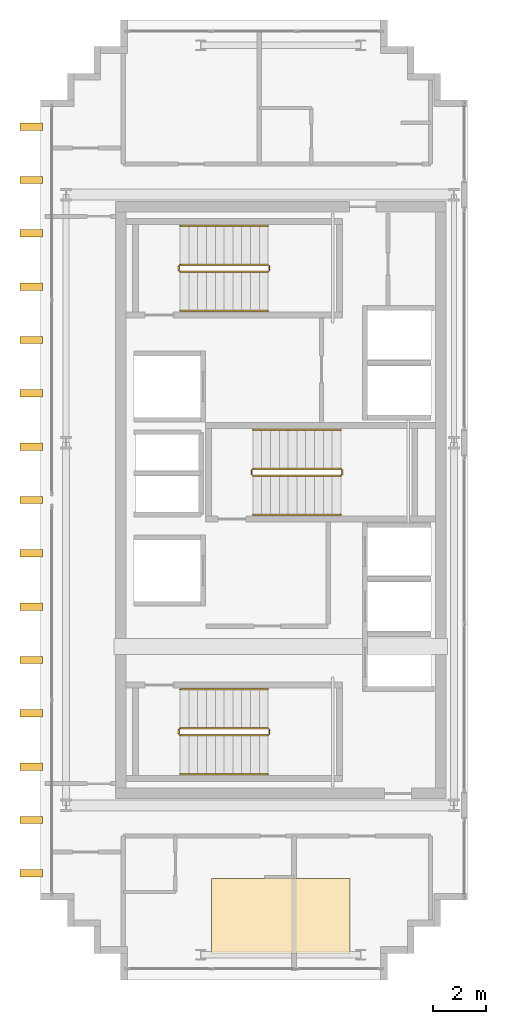
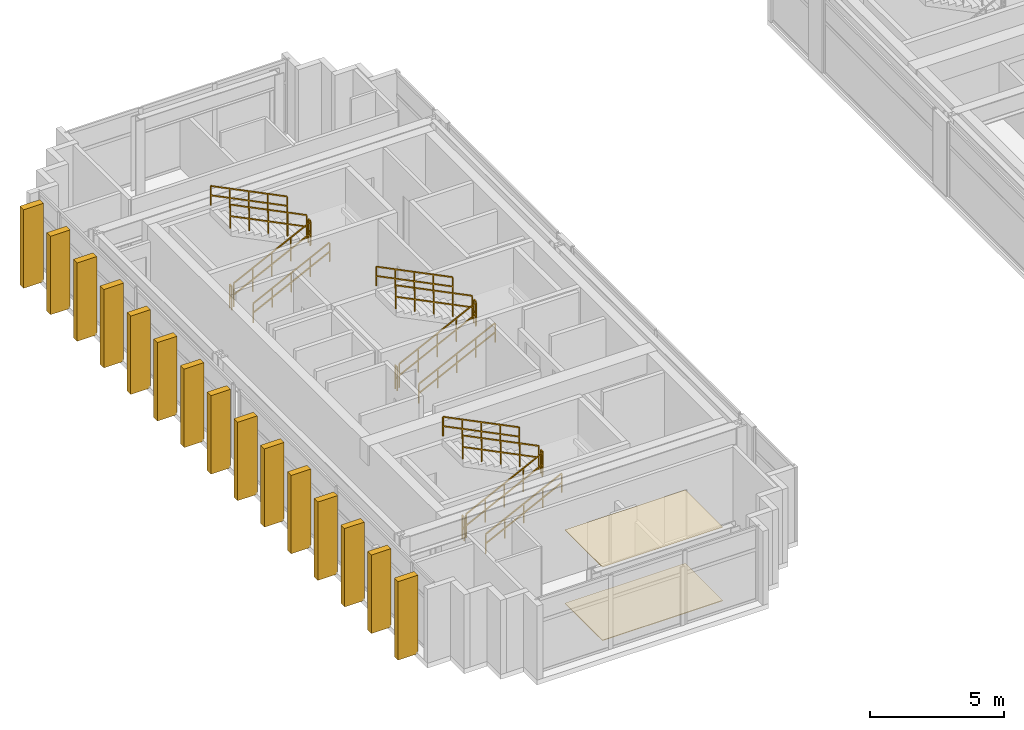
# One storey, part 24 of 25: 18 railings, 15 shading devices, 2 coverings.
"""IFC4 building model written with IfcOpenShell, lengths in metres."""

from ifc_helpers import new_model, si_unit, direction, frame, origin, origin_2d, place, context, subcontext, project, spatial, polyline, rectangle, outline, extrude, source, transform, mapped, material, layer, layer_set, type_object, element, save


model = new_model("IFC4")

# Units and contexts
model_context = context("Model", 3, precision=1e-05, world=origin(), true_north=direction((0.0, 1.0)))
body_context = subcontext(model_context, "Body", "Model", "MODEL_VIEW")
ifc_project = project(units=[si_unit("LENGTHUNIT", "METRE"), si_unit("AREAUNIT", "SQUARE_METRE"), si_unit("VOLUMEUNIT", "CUBIC_METRE"), si_unit("PLANEANGLEUNIT", "RADIAN"), si_unit("MASSUNIT", "GRAM", prefix="KILO")], contexts=[model_context])

# Site, building, storey
site_placement = place(None, origin())
site = spatial("IfcSite", under=ifc_project, at=site_placement, CompositionType="ELEMENT")
building_placement = place(site_placement, origin())
building = spatial("IfcBuilding", under=site, at=building_placement, Name="Ocotamira Hotel", CompositionType="ELEMENT")
storey_placement = place(building_placement, frame((0.0, 0.0, 258.0)))
storey = spatial("IfcBuildingStorey", under=building, at=storey_placement, Name="L65", CompositionType="ELEMENT", Elevation=258.0)

# Coverings
ifc_material_1 = material(Name="Perforated acoustic gypsum ceiling board", Category="gypsum")
ifc_layer_1 = layer(ifc_material_1, 0.02490234375)
ifc_layer_set_1 = layer_set([ifc_layer_1], Name="Perforated acoustic gypsum ceiling board")
covering_type_1 = type_object("IfcCoveringType", Name="COV-CEIL-25", PredefinedType="CEILING", material=ifc_layer_set_1)
covering_1_placement = place(storey_placement, frame((0.0, 0.0, 3.35498046875)))
element("IfcCovering", 1, at=covering_1_placement, inside=storey, type_object=covering_type_1, Name="L65 Acoustic Ceiling", PredefinedType="CEILING", context=body_context, shape_type="SweptSolid", body=[
    extrude(outline(polyline([(14.39990234375, 9.0), (19.60009765625, 9.0), (19.60009765625, 11.800048828125), (14.39990234375, 11.800048828125), (14.39990234375, 9.0)])), origin(), (0.0, 0.0, 1.0), 0.02490234375),
])
ifc_material_2 = material(Name="Honed desert travertine stone flooring", Category="masonry")
ifc_layer_2 = layer(ifc_material_2, 0.030029296875)
ifc_layer_set_2 = layer_set([ifc_layer_2], Name="Honed desert travertine stone flooring")
covering_type_2 = type_object("IfcCoveringType", Name="COV-FLOR-30", PredefinedType="FLOORING", material=ifc_layer_set_2)
covering_2_placement = place(storey_placement, origin())
element("IfcCovering", 2, at=covering_2_placement, inside=storey, type_object=covering_type_2, Name="L65 Honed Stone Floor Finish", PredefinedType="FLOORING", context=body_context, shape_type="SweptSolid", body=[
    extrude(outline(polyline([(14.39990234375, 9.0), (19.60009765625, 9.0), (19.60009765625, 11.800048828125), (14.39990234375, 11.800048828125), (14.39990234375, 9.0)])), origin(), (0.0, 0.0, 1.0), 0.030029296875),
])

# Railings
ifc_material_3 = material(Name="Brushed stainless steel handrail", Category="steel")
railing_type_1 = type_object("IfcRailingType", Name="RL-HAND-900", PredefinedType="HANDRAIL", material=ifc_material_3)
railing_1_placement = place(storey_placement, frame((13.22998046875, 15.719970703125, 0.327392578125)))
element("IfcRailing", 3, at=railing_1_placement, inside=storey, type_object=railing_type_1, Name="L65 ST-1 stair handrail 1", PredefinedType="HANDRAIL", context=body_context, shape_type="SweptSolid", body=[
    extrude(rectangle(XDim=0.048095703125, YDim=0.048095703125, at=origin_2d()), frame((0.0, 0.0, 0.8759765625), z_axis=(0.895920123917, 0.0, 0.444215186098), x_axis=(0.0, 1.0, 0.0)), (0.0, 0.0, 1.0), 3.683349609375),
    extrude(rectangle(XDim=0.048095703125, YDim=0.048095703125, at=origin_2d()), frame((0.0, 0.0, 0.449951171875), z_axis=(0.895920123917, 0.0, 0.444215186098), x_axis=(0.0, 1.0, 0.0)), (0.0, 0.0, 1.0), 3.683349609375),
    extrude(rectangle(XDim=0.0419921875, YDim=0.0419921875, at=origin_2d()), origin(), (0.0, 0.0, 1.0), 0.851806640625),
    extrude(rectangle(XDim=0.0419921875, YDim=0.0419921875, at=origin_2d()), frame((0.824951171875, 0.0, 0.4091796875)), (0.0, 0.0, 1.0), 0.851806640625),
    extrude(rectangle(XDim=0.0419921875, YDim=0.0419921875, at=origin_2d()), frame((1.64990234375, 0.0, 0.818115234375)), (0.0, 0.0, 1.0), 0.851806640625),
    extrude(rectangle(XDim=0.0419921875, YDim=0.0419921875, at=origin_2d()), frame((2.47509765625, 0.0, 1.22705078125)), (0.0, 0.0, 1.0), 0.851806640625),
    extrude(rectangle(XDim=0.0419921875, YDim=0.0419921875, at=origin_2d()), frame((3.300048828125, 0.0, 1.63623046875)), (0.0, 0.0, 1.0), 0.851806640625),
])
railing_2_placement = place(storey_placement, frame((16.530029296875, 18.89990234375, 2.127197265625)))
element("IfcRailing", 4, at=railing_2_placement, inside=storey, type_object=railing_type_1, Name="L65 ST-1 stair handrail 2", PredefinedType="HANDRAIL", context=body_context, shape_type="SweptSolid", body=[
    extrude(rectangle(XDim=0.048095703125, YDim=0.048095703125, at=origin_2d()), frame((0.0, 0.0, 0.8759765625), z_axis=(-0.895893744519, 0.0, 0.4442683857), x_axis=(0.0, -1.0, 0.0)), (0.0, 0.0, 1.0), 3.68359375),
    extrude(rectangle(XDim=0.048095703125, YDim=0.048095703125, at=origin_2d()), frame((0.0, 0.0, 0.449951171875), z_axis=(-0.895893744519, 0.0, 0.4442683857), x_axis=(0.0, -1.0, 0.0)), (0.0, 0.0, 1.0), 3.68359375),
    extrude(rectangle(XDim=0.0419921875, YDim=0.0419921875, at=origin_2d()), origin(), (0.0, 0.0, 1.0), 0.851806640625),
    extrude(rectangle(XDim=0.0419921875, YDim=0.0419921875, at=origin_2d()), frame((-0.824951171875, 0.0, 0.4091796875)), (0.0, 0.0, 1.0), 0.851806640625),
    extrude(rectangle(XDim=0.0419921875, YDim=0.0419921875, at=origin_2d()), frame((-1.64990234375, 0.0, 0.818359375)), (0.0, 0.0, 1.0), 0.851806640625),
    extrude(rectangle(XDim=0.0419921875, YDim=0.0419921875, at=origin_2d()), frame((-2.47509765625, 0.0, 1.227294921875)), (0.0, 0.0, 1.0), 0.851806640625),
    extrude(rectangle(XDim=0.0419921875, YDim=0.0419921875, at=origin_2d()), frame((-3.300048828125, 0.0, 1.636474609375)), (0.0, 0.0, 1.0), 0.851806640625),
])
railing_3_placement = place(storey_placement, frame((13.22998046875, 33.10009765625, 0.327392578125)))
element("IfcRailing", 5, at=railing_3_placement, inside=storey, type_object=railing_type_1, Name="L65 ST-2 stair handrail 1", PredefinedType="HANDRAIL", context=body_context, shape_type="SweptSolid", body=[
    extrude(rectangle(XDim=0.048095703125, YDim=0.048095703125, at=origin_2d()), frame((0.0, 0.0, 0.8759765625), z_axis=(0.895920123917, 0.0, 0.444215186098), x_axis=(0.0, 1.0, 0.0)), (0.0, 0.0, 1.0), 3.683349609375),
    extrude(rectangle(XDim=0.048095703125, YDim=0.048095703125, at=origin_2d()), frame((0.0, 0.0, 0.449951171875), z_axis=(0.895920123917, 0.0, 0.444215186098), x_axis=(0.0, 1.0, 0.0)), (0.0, 0.0, 1.0), 3.683349609375),
    extrude(rectangle(XDim=0.0419921875, YDim=0.0419921875, at=origin_2d()), origin(), (0.0, 0.0, 1.0), 0.851806640625),
    extrude(rectangle(XDim=0.0419921875, YDim=0.0419921875, at=origin_2d()), frame((0.824951171875, 0.0, 0.4091796875)), (0.0, 0.0, 1.0), 0.851806640625),
    extrude(rectangle(XDim=0.0419921875, YDim=0.0419921875, at=origin_2d()), frame((1.64990234375, 0.0, 0.818115234375)), (0.0, 0.0, 1.0), 0.851806640625),
    extrude(rectangle(XDim=0.0419921875, YDim=0.0419921875, at=origin_2d()), frame((2.47509765625, 0.0, 1.22705078125)), (0.0, 0.0, 1.0), 0.851806640625),
    extrude(rectangle(XDim=0.0419921875, YDim=0.0419921875, at=origin_2d()), frame((3.300048828125, 0.0, 1.63623046875)), (0.0, 0.0, 1.0), 0.851806640625),
])
railing_4_placement = place(storey_placement, frame((16.530029296875, 36.280029296875, 2.127197265625)))
element("IfcRailing", 6, at=railing_4_placement, inside=storey, type_object=railing_type_1, Name="L65 ST-2 stair handrail 2", PredefinedType="HANDRAIL", context=body_context, shape_type="SweptSolid", body=[
    extrude(rectangle(XDim=0.048095703125, YDim=0.048095703125, at=origin_2d()), frame((0.0, 0.0, 0.8759765625), z_axis=(-0.895893744519, 0.0, 0.4442683857), x_axis=(0.0, -1.0, 0.0)), (0.0, 0.0, 1.0), 3.68359375),
    extrude(rectangle(XDim=0.048095703125, YDim=0.048095703125, at=origin_2d()), frame((0.0, 0.0, 0.449951171875), z_axis=(-0.895893744519, 0.0, 0.4442683857), x_axis=(0.0, -1.0, 0.0)), (0.0, 0.0, 1.0), 3.68359375),
    extrude(rectangle(XDim=0.0419921875, YDim=0.0419921875, at=origin_2d()), origin(), (0.0, 0.0, 1.0), 0.851806640625),
    extrude(rectangle(XDim=0.0419921875, YDim=0.0419921875, at=origin_2d()), frame((-0.824951171875, 0.0, 0.4091796875)), (0.0, 0.0, 1.0), 0.851806640625),
    extrude(rectangle(XDim=0.0419921875, YDim=0.0419921875, at=origin_2d()), frame((-1.64990234375, 0.0, 0.818359375)), (0.0, 0.0, 1.0), 0.851806640625),
    extrude(rectangle(XDim=0.0419921875, YDim=0.0419921875, at=origin_2d()), frame((-2.47509765625, 0.0, 1.227294921875)), (0.0, 0.0, 1.0), 0.851806640625),
    extrude(rectangle(XDim=0.0419921875, YDim=0.0419921875, at=origin_2d()), frame((-3.300048828125, 0.0, 1.636474609375)), (0.0, 0.0, 1.0), 0.851806640625),
])
railing_5_placement = place(storey_placement, frame((15.9599609375, 25.449951171875, 0.327392578125)))
element("IfcRailing", 7, at=railing_5_placement, inside=storey, type_object=railing_type_1, Name="L65 ST-3 stair handrail 1", PredefinedType="HANDRAIL", context=body_context, shape_type="SweptSolid", body=[
    extrude(rectangle(XDim=0.048095703125, YDim=0.048095703125, at=origin_2d()), frame((0.0, 0.0, 0.8759765625), z_axis=(0.895920123917, 0.0, 0.444215186098), x_axis=(0.0, 1.0, 0.0)), (0.0, 0.0, 1.0), 3.683349609375),
    extrude(rectangle(XDim=0.048095703125, YDim=0.048095703125, at=origin_2d()), frame((0.0, 0.0, 0.449951171875), z_axis=(0.895920123917, 0.0, 0.444215186098), x_axis=(0.0, 1.0, 0.0)), (0.0, 0.0, 1.0), 3.683349609375),
    extrude(rectangle(XDim=0.0419921875, YDim=0.0419921875, at=origin_2d()), origin(), (0.0, 0.0, 1.0), 0.851806640625),
    extrude(rectangle(XDim=0.0419921875, YDim=0.0419921875, at=origin_2d()), frame((0.824951171875, 0.0, 0.4091796875)), (0.0, 0.0, 1.0), 0.851806640625),
    extrude(rectangle(XDim=0.0419921875, YDim=0.0419921875, at=origin_2d()), frame((1.64990234375, 0.0, 0.818115234375)), (0.0, 0.0, 1.0), 0.851806640625),
    extrude(rectangle(XDim=0.0419921875, YDim=0.0419921875, at=origin_2d()), frame((2.47509765625, 0.0, 1.22705078125)), (0.0, 0.0, 1.0), 0.851806640625),
    extrude(rectangle(XDim=0.0419921875, YDim=0.0419921875, at=origin_2d()), frame((3.300048828125, 0.0, 1.63623046875)), (0.0, 0.0, 1.0), 0.851806640625),
])
railing_6_placement = place(storey_placement, frame((19.260009765625, 28.6298828125, 2.127197265625)))
element("IfcRailing", 8, at=railing_6_placement, inside=storey, type_object=railing_type_1, Name="L65 ST-3 stair handrail 2", PredefinedType="HANDRAIL", context=body_context, shape_type="SweptSolid", body=[
    extrude(rectangle(XDim=0.048095703125, YDim=0.048095703125, at=origin_2d()), frame((0.0, 0.0, 0.8759765625), z_axis=(-0.895893744519, 0.0, 0.4442683857), x_axis=(0.0, -1.0, 0.0)), (0.0, 0.0, 1.0), 3.68359375),
    extrude(rectangle(XDim=0.048095703125, YDim=0.048095703125, at=origin_2d()), frame((0.0, 0.0, 0.449951171875), z_axis=(-0.895893744519, 0.0, 0.4442683857), x_axis=(0.0, -1.0, 0.0)), (0.0, 0.0, 1.0), 3.68359375),
    extrude(rectangle(XDim=0.0419921875, YDim=0.0419921875, at=origin_2d()), origin(), (0.0, 0.0, 1.0), 0.851806640625),
    extrude(rectangle(XDim=0.0419921875, YDim=0.0419921875, at=origin_2d()), frame((-0.824951171875, 0.0, 0.4091796875)), (0.0, 0.0, 1.0), 0.851806640625),
    extrude(rectangle(XDim=0.0419921875, YDim=0.0419921875, at=origin_2d()), frame((-1.64990234375, 0.0, 0.818359375)), (0.0, 0.0, 1.0), 0.851806640625),
    extrude(rectangle(XDim=0.0419921875, YDim=0.0419921875, at=origin_2d()), frame((-2.47509765625, 0.0, 1.227294921875)), (0.0, 0.0, 1.0), 0.851806640625),
    extrude(rectangle(XDim=0.0419921875, YDim=0.0419921875, at=origin_2d()), frame((-3.300048828125, 0.0, 1.636474609375)), (0.0, 0.0, 1.0), 0.851806640625),
])
ifc_material_4 = material(Name="Painted steel stair guardrail", Category="steel")
railing_type_2 = type_object("IfcRailingType", Name="RL-STAIR-1100", PredefinedType="GUARDRAIL", material=ifc_material_4)
railing_7_placement = place(storey_placement, frame((13.22998046875, 17.179931640625, 0.16357421875)))
element("IfcRailing", 9, at=railing_7_placement, inside=storey, type_object=railing_type_2, Name="L65 ST-1 stair guard 1", PredefinedType="GUARDRAIL", context=body_context, shape_type="SweptSolid", body=[
    extrude(rectangle(XDim=0.048095703125, YDim=0.048095703125, at=origin_2d()), frame((0.0, 0.0, 1.076171875), z_axis=(0.895893744519, 0.0, 0.4442683857), x_axis=(0.0, 1.0, 0.0)), (0.0, 0.0, 1.0), 3.68359375),
    extrude(rectangle(XDim=0.048095703125, YDim=0.048095703125, at=origin_2d()), frame((0.0, 0.0, 0.550048828125), z_axis=(0.895893744519, 0.0, 0.4442683857), x_axis=(0.0, 1.0, 0.0)), (0.0, 0.0, 1.0), 3.68359375),
    extrude(rectangle(XDim=0.0419921875, YDim=0.0419921875, at=origin_2d()), origin(), (0.0, 0.0, 1.0), 1.052001953125),
    extrude(rectangle(XDim=0.0419921875, YDim=0.0419921875, at=origin_2d()), frame((0.824951171875, 0.0, 0.4091796875)), (0.0, 0.0, 1.0), 1.052001953125),
    extrude(rectangle(XDim=0.0419921875, YDim=0.0419921875, at=origin_2d()), frame((1.64990234375, 0.0, 0.818359375)), (0.0, 0.0, 1.0), 1.052001953125),
    extrude(rectangle(XDim=0.0419921875, YDim=0.0419921875, at=origin_2d()), frame((2.47509765625, 0.0, 1.227294921875)), (0.0, 0.0, 1.0), 1.052001953125),
    extrude(rectangle(XDim=0.0419921875, YDim=0.0419921875, at=origin_2d()), frame((3.300048828125, 0.0, 1.636474609375)), (0.0, 0.0, 1.0), 1.052001953125),
])
railing_8_placement = place(storey_placement, frame((16.580078125, 17.22998046875, 1.800048828125)))
element("IfcRailing", 10, at=railing_8_placement, inside=storey, type_object=railing_type_2, Name="L65 ST-1 stair guard 2", PredefinedType="GUARDRAIL", context=body_context, shape_type="SweptSolid", body=[
    extrude(rectangle(XDim=0.048095703125, YDim=0.048095703125, at=origin_2d()), frame((0.0, 0.0, 1.076171875), z_axis=(0.0, 1.0, 0.0), x_axis=(-1.0, 0.0, 0.0)), (0.0, 0.0, 1.0), 0.159912109375),
    extrude(rectangle(XDim=0.048095703125, YDim=0.048095703125, at=origin_2d()), frame((0.0, 0.0, 0.550048828125), z_axis=(0.0, 1.0, 0.0), x_axis=(-1.0, 0.0, 0.0)), (0.0, 0.0, 1.0), 0.159912109375),
    extrude(rectangle(XDim=0.0419921875, YDim=0.0419921875, at=origin_2d()), origin(), (0.0, 0.0, 1.0), 1.052001953125),
    extrude(rectangle(XDim=0.0419921875, YDim=0.0419921875, at=origin_2d()), frame((0.0, 0.159912109375, 0.0)), (0.0, 0.0, 1.0), 1.052001953125),
])
railing_9_placement = place(storey_placement, frame((16.530029296875, 17.43994140625, 1.963623046875)))
element("IfcRailing", 11, at=railing_9_placement, inside=storey, type_object=railing_type_2, Name="L65 ST-1 stair guard 3", PredefinedType="GUARDRAIL", context=body_context, shape_type="SweptSolid", body=[
    extrude(rectangle(XDim=0.048095703125, YDim=0.048095703125, at=origin_2d()), frame((0.0, 0.0, 1.076171875), z_axis=(-0.895893744519, 0.0, 0.4442683857), x_axis=(0.0, -1.0, 0.0)), (0.0, 0.0, 1.0), 3.68359375),
    extrude(rectangle(XDim=0.048095703125, YDim=0.048095703125, at=origin_2d()), frame((0.0, 0.0, 0.550048828125), z_axis=(-0.895893744519, 0.0, 0.4442683857), x_axis=(0.0, -1.0, 0.0)), (0.0, 0.0, 1.0), 3.68359375),
    extrude(rectangle(XDim=0.0419921875, YDim=0.0419921875, at=origin_2d()), origin(), (0.0, 0.0, 1.0), 1.052001953125),
    extrude(rectangle(XDim=0.0419921875, YDim=0.0419921875, at=origin_2d()), frame((-0.824951171875, 0.0, 0.4091796875)), (0.0, 0.0, 1.0), 1.052001953125),
    extrude(rectangle(XDim=0.0419921875, YDim=0.0419921875, at=origin_2d()), frame((-1.64990234375, 0.0, 0.818359375)), (0.0, 0.0, 1.0), 1.052001953125),
    extrude(rectangle(XDim=0.0419921875, YDim=0.0419921875, at=origin_2d()), frame((-2.47509765625, 0.0, 1.227294921875)), (0.0, 0.0, 1.0), 1.052001953125),
    extrude(rectangle(XDim=0.0419921875, YDim=0.0419921875, at=origin_2d()), frame((-3.300048828125, 0.0, 1.636474609375)), (0.0, 0.0, 1.0), 1.052001953125),
])
railing_10_placement = place(storey_placement, frame((13.179931640625, 17.22998046875, 0.0)))
element("IfcRailing", 12, at=railing_10_placement, inside=storey, type_object=railing_type_2, Name="L65 ST-1 stair guard 4", PredefinedType="GUARDRAIL", context=body_context, shape_type="SweptSolid", body=[
    extrude(rectangle(XDim=0.048095703125, YDim=0.048095703125, at=origin_2d()), frame((0.0, 0.0, 1.076171875), z_axis=(0.0, 1.0, 0.0), x_axis=(-1.0, 0.0, 0.0)), (0.0, 0.0, 1.0), 0.159912109375),
    extrude(rectangle(XDim=0.048095703125, YDim=0.048095703125, at=origin_2d()), frame((0.0, 0.0, 0.550048828125), z_axis=(0.0, 1.0, 0.0), x_axis=(-1.0, 0.0, 0.0)), (0.0, 0.0, 1.0), 0.159912109375),
    extrude(rectangle(XDim=0.0419921875, YDim=0.0419921875, at=origin_2d()), origin(), (0.0, 0.0, 1.0), 1.052001953125),
    extrude(rectangle(XDim=0.0419921875, YDim=0.0419921875, at=origin_2d()), frame((0.0, 0.159912109375, 0.0)), (0.0, 0.0, 1.0), 1.052001953125),
])
railing_11_placement = place(storey_placement, frame((13.22998046875, 34.56005859375, 0.16357421875)))
element("IfcRailing", 13, at=railing_11_placement, inside=storey, type_object=railing_type_2, Name="L65 ST-2 stair guard 1", PredefinedType="GUARDRAIL", context=body_context, shape_type="SweptSolid", body=[
    extrude(rectangle(XDim=0.048095703125, YDim=0.048095703125, at=origin_2d()), frame((0.0, 0.0, 1.076171875), z_axis=(0.895893744519, 0.0, 0.4442683857), x_axis=(0.0, 1.0, 0.0)), (0.0, 0.0, 1.0), 3.68359375),
    extrude(rectangle(XDim=0.048095703125, YDim=0.048095703125, at=origin_2d()), frame((0.0, 0.0, 0.550048828125), z_axis=(0.895893744519, 0.0, 0.4442683857), x_axis=(0.0, 1.0, 0.0)), (0.0, 0.0, 1.0), 3.68359375),
    extrude(rectangle(XDim=0.0419921875, YDim=0.0419921875, at=origin_2d()), origin(), (0.0, 0.0, 1.0), 1.052001953125),
    extrude(rectangle(XDim=0.0419921875, YDim=0.0419921875, at=origin_2d()), frame((0.824951171875, 0.0, 0.4091796875)), (0.0, 0.0, 1.0), 1.052001953125),
    extrude(rectangle(XDim=0.0419921875, YDim=0.0419921875, at=origin_2d()), frame((1.64990234375, 0.0, 0.818359375)), (0.0, 0.0, 1.0), 1.052001953125),
    extrude(rectangle(XDim=0.0419921875, YDim=0.0419921875, at=origin_2d()), frame((2.47509765625, 0.0, 1.227294921875)), (0.0, 0.0, 1.0), 1.052001953125),
    extrude(rectangle(XDim=0.0419921875, YDim=0.0419921875, at=origin_2d()), frame((3.300048828125, 0.0, 1.636474609375)), (0.0, 0.0, 1.0), 1.052001953125),
])
railing_12_placement = place(storey_placement, frame((16.580078125, 34.610107421875, 1.800048828125)))
element("IfcRailing", 14, at=railing_12_placement, inside=storey, type_object=railing_type_2, Name="L65 ST-2 stair guard 2", PredefinedType="GUARDRAIL", context=body_context, shape_type="SweptSolid", body=[
    extrude(rectangle(XDim=0.048095703125, YDim=0.048095703125, at=origin_2d()), frame((0.0, 0.0, 1.076171875), z_axis=(0.0, 1.0, 0.0), x_axis=(-1.0, 0.0, 0.0)), (0.0, 0.0, 1.0), 0.159912109375),
    extrude(rectangle(XDim=0.048095703125, YDim=0.048095703125, at=origin_2d()), frame((0.0, 0.0, 0.550048828125), z_axis=(0.0, 1.0, 0.0), x_axis=(-1.0, 0.0, 0.0)), (0.0, 0.0, 1.0), 0.159912109375),
    extrude(rectangle(XDim=0.0419921875, YDim=0.0419921875, at=origin_2d()), origin(), (0.0, 0.0, 1.0), 1.052001953125),
    extrude(rectangle(XDim=0.0419921875, YDim=0.0419921875, at=origin_2d()), frame((0.0, 0.159912109375, 0.0)), (0.0, 0.0, 1.0), 1.052001953125),
])
railing_13_placement = place(storey_placement, frame((16.530029296875, 34.820068359375, 1.963623046875)))
element("IfcRailing", 15, at=railing_13_placement, inside=storey, type_object=railing_type_2, Name="L65 ST-2 stair guard 3", PredefinedType="GUARDRAIL", context=body_context, shape_type="SweptSolid", body=[
    extrude(rectangle(XDim=0.048095703125, YDim=0.048095703125, at=origin_2d()), frame((0.0, 0.0, 1.076171875), z_axis=(-0.895893744519, 0.0, 0.4442683857), x_axis=(0.0, -1.0, 0.0)), (0.0, 0.0, 1.0), 3.68359375),
    extrude(rectangle(XDim=0.048095703125, YDim=0.048095703125, at=origin_2d()), frame((0.0, 0.0, 0.550048828125), z_axis=(-0.895893744519, 0.0, 0.4442683857), x_axis=(0.0, -1.0, 0.0)), (0.0, 0.0, 1.0), 3.68359375),
    extrude(rectangle(XDim=0.0419921875, YDim=0.0419921875, at=origin_2d()), origin(), (0.0, 0.0, 1.0), 1.052001953125),
    extrude(rectangle(XDim=0.0419921875, YDim=0.0419921875, at=origin_2d()), frame((-0.824951171875, 0.0, 0.4091796875)), (0.0, 0.0, 1.0), 1.052001953125),
    extrude(rectangle(XDim=0.0419921875, YDim=0.0419921875, at=origin_2d()), frame((-1.64990234375, 0.0, 0.818359375)), (0.0, 0.0, 1.0), 1.052001953125),
    extrude(rectangle(XDim=0.0419921875, YDim=0.0419921875, at=origin_2d()), frame((-2.47509765625, 0.0, 1.227294921875)), (0.0, 0.0, 1.0), 1.052001953125),
    extrude(rectangle(XDim=0.0419921875, YDim=0.0419921875, at=origin_2d()), frame((-3.300048828125, 0.0, 1.636474609375)), (0.0, 0.0, 1.0), 1.052001953125),
])
railing_14_placement = place(storey_placement, frame((13.179931640625, 34.610107421875, 0.0)))
element("IfcRailing", 16, at=railing_14_placement, inside=storey, type_object=railing_type_2, Name="L65 ST-2 stair guard 4", PredefinedType="GUARDRAIL", context=body_context, shape_type="SweptSolid", body=[
    extrude(rectangle(XDim=0.048095703125, YDim=0.048095703125, at=origin_2d()), frame((0.0, 0.0, 1.076171875), z_axis=(0.0, 1.0, 0.0), x_axis=(-1.0, 0.0, 0.0)), (0.0, 0.0, 1.0), 0.159912109375),
    extrude(rectangle(XDim=0.048095703125, YDim=0.048095703125, at=origin_2d()), frame((0.0, 0.0, 0.550048828125), z_axis=(0.0, 1.0, 0.0), x_axis=(-1.0, 0.0, 0.0)), (0.0, 0.0, 1.0), 0.159912109375),
    extrude(rectangle(XDim=0.0419921875, YDim=0.0419921875, at=origin_2d()), origin(), (0.0, 0.0, 1.0), 1.052001953125),
    extrude(rectangle(XDim=0.0419921875, YDim=0.0419921875, at=origin_2d()), frame((0.0, 0.159912109375, 0.0)), (0.0, 0.0, 1.0), 1.052001953125),
])
railing_15_placement = place(storey_placement, frame((15.9599609375, 26.909912109375, 0.16357421875)))
element("IfcRailing", 17, at=railing_15_placement, inside=storey, type_object=railing_type_2, Name="L65 ST-3 stair guard 1", PredefinedType="GUARDRAIL", context=body_context, shape_type="SweptSolid", body=[
    extrude(rectangle(XDim=0.048095703125, YDim=0.048095703125, at=origin_2d()), frame((0.0, 0.0, 1.076171875), z_axis=(0.895893744519, 0.0, 0.4442683857), x_axis=(0.0, 1.0, 0.0)), (0.0, 0.0, 1.0), 3.68359375),
    extrude(rectangle(XDim=0.048095703125, YDim=0.048095703125, at=origin_2d()), frame((0.0, 0.0, 0.550048828125), z_axis=(0.895893744519, 0.0, 0.4442683857), x_axis=(0.0, 1.0, 0.0)), (0.0, 0.0, 1.0), 3.68359375),
    extrude(rectangle(XDim=0.0419921875, YDim=0.0419921875, at=origin_2d()), origin(), (0.0, 0.0, 1.0), 1.052001953125),
    extrude(rectangle(XDim=0.0419921875, YDim=0.0419921875, at=origin_2d()), frame((0.824951171875, 0.0, 0.4091796875)), (0.0, 0.0, 1.0), 1.052001953125),
    extrude(rectangle(XDim=0.0419921875, YDim=0.0419921875, at=origin_2d()), frame((1.64990234375, 0.0, 0.818359375)), (0.0, 0.0, 1.0), 1.052001953125),
    extrude(rectangle(XDim=0.0419921875, YDim=0.0419921875, at=origin_2d()), frame((2.47509765625, 0.0, 1.227294921875)), (0.0, 0.0, 1.0), 1.052001953125),
    extrude(rectangle(XDim=0.0419921875, YDim=0.0419921875, at=origin_2d()), frame((3.300048828125, 0.0, 1.636474609375)), (0.0, 0.0, 1.0), 1.052001953125),
])
railing_16_placement = place(storey_placement, frame((19.31005859375, 26.9599609375, 1.800048828125)))
element("IfcRailing", 18, at=railing_16_placement, inside=storey, type_object=railing_type_2, Name="L65 ST-3 stair guard 2", PredefinedType="GUARDRAIL", context=body_context, shape_type="SweptSolid", body=[
    extrude(rectangle(XDim=0.048095703125, YDim=0.048095703125, at=origin_2d()), frame((0.0, 0.0, 1.076171875), z_axis=(0.0, 1.0, 0.0), x_axis=(-1.0, 0.0, 0.0)), (0.0, 0.0, 1.0), 0.16015625),
    extrude(rectangle(XDim=0.048095703125, YDim=0.048095703125, at=origin_2d()), frame((0.0, 0.0, 0.550048828125), z_axis=(0.0, 1.0, 0.0), x_axis=(-1.0, 0.0, 0.0)), (0.0, 0.0, 1.0), 0.16015625),
    extrude(rectangle(XDim=0.0419921875, YDim=0.0419921875, at=origin_2d()), origin(), (0.0, 0.0, 1.0), 1.052001953125),
    extrude(rectangle(XDim=0.0419921875, YDim=0.0419921875, at=origin_2d()), frame((0.0, 0.16015625, 0.0)), (0.0, 0.0, 1.0), 1.052001953125),
])
railing_17_placement = place(storey_placement, frame((19.260009765625, 27.169921875, 1.963623046875)))
element("IfcRailing", 19, at=railing_17_placement, inside=storey, type_object=railing_type_2, Name="L65 ST-3 stair guard 3", PredefinedType="GUARDRAIL", context=body_context, shape_type="SweptSolid", body=[
    extrude(rectangle(XDim=0.048095703125, YDim=0.048095703125, at=origin_2d()), frame((0.0, 0.0, 1.076171875), z_axis=(-0.895893744519, 0.0, 0.4442683857), x_axis=(0.0, -1.0, 0.0)), (0.0, 0.0, 1.0), 3.68359375),
    extrude(rectangle(XDim=0.048095703125, YDim=0.048095703125, at=origin_2d()), frame((0.0, 0.0, 0.550048828125), z_axis=(-0.895893744519, 0.0, 0.4442683857), x_axis=(0.0, -1.0, 0.0)), (0.0, 0.0, 1.0), 3.68359375),
    extrude(rectangle(XDim=0.0419921875, YDim=0.0419921875, at=origin_2d()), origin(), (0.0, 0.0, 1.0), 1.052001953125),
    extrude(rectangle(XDim=0.0419921875, YDim=0.0419921875, at=origin_2d()), frame((-0.824951171875, 0.0, 0.4091796875)), (0.0, 0.0, 1.0), 1.052001953125),
    extrude(rectangle(XDim=0.0419921875, YDim=0.0419921875, at=origin_2d()), frame((-1.64990234375, 0.0, 0.818359375)), (0.0, 0.0, 1.0), 1.052001953125),
    extrude(rectangle(XDim=0.0419921875, YDim=0.0419921875, at=origin_2d()), frame((-2.47509765625, 0.0, 1.227294921875)), (0.0, 0.0, 1.0), 1.052001953125),
    extrude(rectangle(XDim=0.0419921875, YDim=0.0419921875, at=origin_2d()), frame((-3.300048828125, 0.0, 1.636474609375)), (0.0, 0.0, 1.0), 1.052001953125),
])
railing_18_placement = place(storey_placement, frame((15.909912109375, 26.9599609375, 0.0)))
element("IfcRailing", 20, at=railing_18_placement, inside=storey, type_object=railing_type_2, Name="L65 ST-3 stair guard 4", PredefinedType="GUARDRAIL", context=body_context, shape_type="SweptSolid", body=[
    extrude(rectangle(XDim=0.048095703125, YDim=0.048095703125, at=origin_2d()), frame((0.0, 0.0, 1.076171875), z_axis=(0.0, 1.0, 0.0), x_axis=(-1.0, 0.0, 0.0)), (0.0, 0.0, 1.0), 0.16015625),
    extrude(rectangle(XDim=0.048095703125, YDim=0.048095703125, at=origin_2d()), frame((0.0, 0.0, 0.550048828125), z_axis=(0.0, 1.0, 0.0), x_axis=(-1.0, 0.0, 0.0)), (0.0, 0.0, 1.0), 0.16015625),
    extrude(rectangle(XDim=0.0419921875, YDim=0.0419921875, at=origin_2d()), origin(), (0.0, 0.0, 1.0), 1.052001953125),
    extrude(rectangle(XDim=0.0419921875, YDim=0.0419921875, at=origin_2d()), frame((0.0, 0.16015625, 0.0)), (0.0, 0.0, 1.0), 1.052001953125),
])

# Shading devices
ifc_material_5 = material(Name="Pale-metal anodised aluminium architectural fin", Category="aluminium")
shading_device_type = type_object("IfcShadingDeviceType", Name="SHD-PIER-850", PredefinedType="USERDEFINED", material=ifc_material_5)
shared_shape = source(origin(), body_context, "Body", "SweptSolid", [
    extrude(rectangle(XDim=0.85009765625, YDim=0.280029296875, at=origin_2d()), origin(), (0.0, 0.0, 1.0), 3.580078125),
])
for number, where, z_axis, x_axis, name in (
    (21, (7.64990234375, 12.0, -0.10009765625), (0.0, 0.0, 1.0), (1.0, 0.0, 0.0), "L65 Vertical Pale-Metal Pier W Y12"),
    (22, (7.64990234375, 14.0, -0.10009765625), (0.0, 0.0, 1.0), (1.0, 0.0, 0.0), "L65 Vertical Pale-Metal Pier W Y14"),
    (23, (7.64990234375, 16.0, -0.10009765625), (0.0, 0.0, 1.0), (1.0, 0.0, 0.0), "L65 Vertical Pale-Metal Pier W Y16"),
    (24, (7.64990234375, 18.0, -0.10009765625), (0.0, 0.0, 1.0), (1.0, 0.0, 0.0), "L65 Vertical Pale-Metal Pier W Y18"),
    (25, (7.64990234375, 20.0, -0.10009765625), (0.0, 0.0, 1.0), (1.0, 0.0, 0.0), "L65 Vertical Pale-Metal Pier W Y20"),
    (26, (7.64990234375, 22.0, -0.10009765625), (0.0, 0.0, 1.0), (1.0, 0.0, 0.0), "L65 Vertical Pale-Metal Pier W Y22"),
    (27, (7.64990234375, 24.0, -0.10009765625), (0.0, 0.0, 1.0), (1.0, 0.0, 0.0), "L65 Vertical Pale-Metal Pier W Y24"),
    (28, (7.64990234375, 26.0, -0.10009765625), (0.0, 0.0, 1.0), (1.0, 0.0, 0.0), "L65 Vertical Pale-Metal Pier W Y26"),
    (29, (7.64990234375, 28.0, -0.10009765625), (0.0, 0.0, 1.0), (1.0, 0.0, 0.0), "L65 Vertical Pale-Metal Pier W Y28"),
    (30, (7.64990234375, 30.0, -0.10009765625), (0.0, 0.0, 1.0), (1.0, 0.0, 0.0), "L65 Vertical Pale-Metal Pier W Y30"),
    (31, (7.64990234375, 32.0, -0.10009765625), (0.0, 0.0, 1.0), (1.0, 0.0, 0.0), "L65 Vertical Pale-Metal Pier W Y32"),
    (32, (7.64990234375, 34.0, -0.10009765625), (0.0, 0.0, 1.0), (1.0, 0.0, 0.0), "L65 Vertical Pale-Metal Pier W Y34"),
    (33, (7.64990234375, 36.0, -0.10009765625), (0.0, 0.0, 1.0), (1.0, 0.0, 0.0), "L65 Vertical Pale-Metal Pier W Y36"),
    (34, (7.64990234375, 38.0, -0.10009765625), (0.0, 0.0, 1.0), (1.0, 0.0, 0.0), "L65 Vertical Pale-Metal Pier W Y38"),
    (35, (7.64990234375, 40.0, -0.10009765625), (0.0, 0.0, 1.0), (1.0, 0.0, 0.0), "L65 Vertical Pale-Metal Pier W Y40"),
):
    element("IfcShadingDevice", number, at=place(storey_placement, frame(where, z_axis=z_axis, x_axis=x_axis)), inside=storey, type_object=shading_device_type, Name=name, ObjectType="FIN", PredefinedType="USERDEFINED", context=body_context, shape_type="MappedRepresentation", body=[
        mapped(shared_shape, transform((0.0, 0.0, 0.0), scale=1.0)),
    ])

save(model, "model.ifc")
